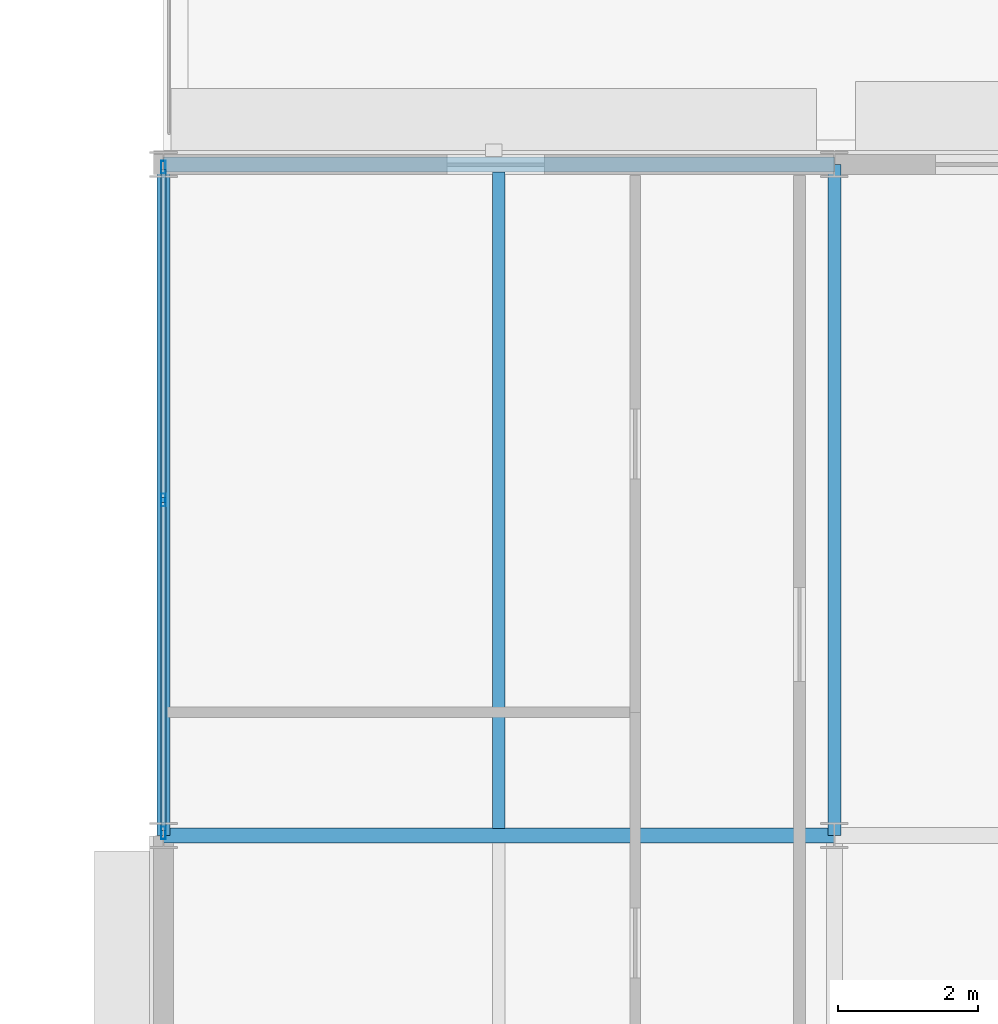
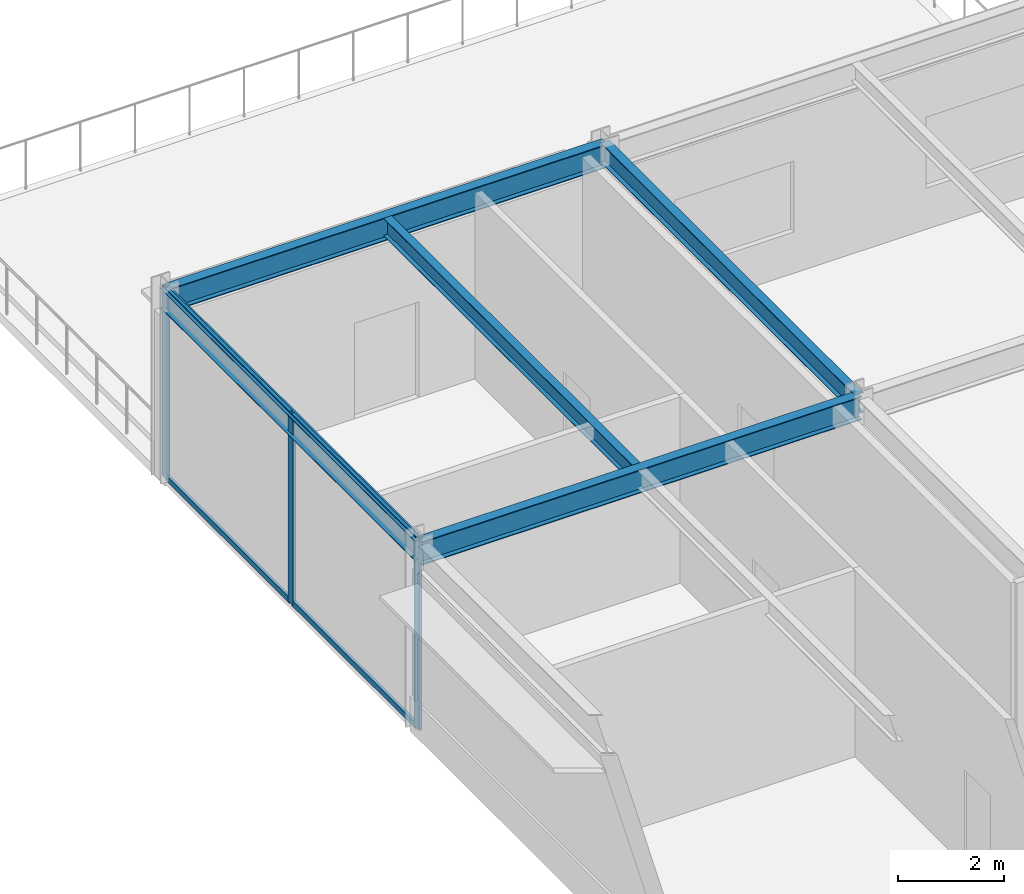
# One storey, part 92 of 133: 7 members, 5 beams, 1 element without a shape of its own.
"""IFC4 building model written with IfcOpenShell, lengths in metres."""

from ifc_helpers import new_model, si_unit, direction, frame, origin, origin_2d, place, context, subcontext, project, spatial, hollow_rectangle, i_section, extrude, material, material_profile, profile_set, type_object, element, aggregate, save


model = new_model("IFC4")

# Units and contexts
model_context = context("Model", 3, precision=1e-05, world=origin(), true_north=direction((0.0, 1.0)))
body_context = subcontext(model_context, "Body", "Model", "MODEL_VIEW")
ifc_project = project(units=[si_unit("LENGTHUNIT", "METRE"), si_unit("AREAUNIT", "SQUARE_METRE"), si_unit("VOLUMEUNIT", "CUBIC_METRE"), si_unit("PLANEANGLEUNIT", "RADIAN"), si_unit("MASSUNIT", "GRAM", prefix="KILO")], contexts=[model_context])

# Site, building, storey
site_placement = place(None, origin())
site = spatial("IfcSite", under=ifc_project, at=site_placement, CompositionType="ELEMENT")
building_placement = place(site_placement, origin())
building = spatial("IfcBuilding", under=site, at=building_placement, Name="Almandine Court Research Institute", CompositionType="ELEMENT")
storey_placement = place(building_placement, frame((0.0, 0.0, 9.800048828125)))
storey = spatial("IfcBuildingStorey", under=building, at=storey_placement, Name="L02", CompositionType="ELEMENT", Elevation=9.800048828125)

# Beams
ifc_material_1 = material(Name="Steel ASTM A992 Grade 50", Category="steel")
ifc_material_profile_1 = material_profile(ifc_material_1, i_section(OverallWidth=0.18994140625, OverallDepth=0.45703125, WebThickness=0.009033203125, FlangeThickness=0.014892578125, at=origin_2d()), Name="W460x74")
ifc_profile_set_1 = profile_set([ifc_material_profile_1], Name="Steel ASTM A992 Grade 50")
beam_type_1 = type_object("IfcBeamType", Name="Beam-B-01", PredefinedType="BEAM", material=ifc_profile_set_1)
for number, where, z_axis, x_axis, name in (
    (1, (153.60009765625, 84.0, 4.140869140625), (0.0, 1.0, 0.0), (-1.0, 0.0, 0.0), "L02 V4 Primary Y Girder"),
    (2, (163.199951171875, 84.0, 4.140869140625), (0.0, 1.0, 0.0), (-1.0, 0.0, 0.0), "L02 V4 Primary Y Girder"),
):
    element("IfcBeam", number, at=place(storey_placement, frame(where, z_axis=z_axis, x_axis=x_axis)), inside=storey, type_object=beam_type_1, Name=name, PredefinedType="BEAM", context=body_context, shape_type="SweptSolid", body=[
        extrude(i_section(OverallWidth=0.18994140625, OverallDepth=0.45703125, WebThickness=0.009033203125, FlangeThickness=0.014892578125, at=origin_2d()), origin(), (0.0, 0.0, 1.0), 9.60009765625),
    ])
ifc_material_profile_2 = material_profile(ifc_material_1, i_section(OverallWidth=0.178955078125, OverallDepth=0.409912109375, WebThickness=0.009033203125, FlangeThickness=0.013916015625, at=origin_2d()), Name="W410x67")
ifc_profile_set_2 = profile_set([ifc_material_profile_2], Name="Steel ASTM A992 Grade 50")
beam_type_2 = type_object("IfcBeamType", Name="Beam-B-02", PredefinedType="JOIST", material=ifc_profile_set_2)
beam_placement = place(storey_placement, frame((158.39990234375, 84.10302734375, 4.1650390625), z_axis=(0.0, 1.0, 0.0), x_axis=(-1.0, 0.0, 0.0)))
element("IfcBeam", 3, at=beam_placement, inside=storey, type_object=beam_type_2, Name="L02 V4 Composite Secondary Beam", PredefinedType="JOIST", context=body_context, shape_type="SweptSolid", body=[
    extrude(i_section(OverallWidth=0.178955078125, OverallDepth=0.409912109375, WebThickness=0.009033203125, FlangeThickness=0.013916015625, at=origin_2d()), origin(), (0.0, 0.0, 1.0), 9.39306640625),
])
ifc_material_profile_3 = material_profile(ifc_material_1, i_section(OverallWidth=0.2109375, OverallDepth=0.5390625, WebThickness=0.011962890625, FlangeThickness=0.01904296875, at=origin_2d()), Name="W530x109")
ifc_profile_set_3 = profile_set([ifc_material_profile_3], Name="Steel ASTM A992 Grade 50")
beam_type_3 = type_object("IfcBeamType", Name="Beam-G-04", PredefinedType="BEAM", material=ifc_profile_set_3)
for number, where, z_axis, x_axis, name in (
    (4, (153.60009765625, 84.0, 4.099853515625), (1.0, 0.0, 0.0), (0.0, 1.0, 0.0), "L02 V4 Primary X Girder"),
    (5, (153.60009765625, 93.60009765625, 4.099853515625), (1.0, 0.0, 0.0), (0.0, 1.0, 0.0), "L02 V4 Primary X Girder"),
):
    element("IfcBeam", number, at=place(storey_placement, frame(where, z_axis=z_axis, x_axis=x_axis)), inside=storey, type_object=beam_type_3, Name=name, PredefinedType="BEAM", context=body_context, shape_type="SweptSolid", body=[
        extrude(i_section(OverallWidth=0.2109375, OverallDepth=0.5390625, WebThickness=0.011962890625, FlangeThickness=0.01904296875, at=origin_2d()), origin(), (0.0, 0.0, 1.0), 9.599853515625),
    ])

# Curtain wall, members
ifc_material_2 = material(Name="Unitised Curtain Wall Framing and Solar Glazing", Category="glass")
curtain_wall_type = type_object("IfcCurtainWallType", Name="CW-CWJ-02", PredefinedType="USERDEFINED", material=ifc_material_2)
curtain_wall_placement = place(storey_placement, origin())
curtain_wall = element("IfcCurtainWall", 6, at=curtain_wall_placement, inside=storey, type_object=curtain_wall_type, Name="L02 Wet Lab West Courtyard Jali Curtain Wall 8", ObjectType="SOLAR JALI SCREEN", PredefinedType="USERDEFINED")
ifc_material_3 = material(Name="Anodised Aluminium AW-6063-T6", Category="aluminium")
ifc_material_profile_4 = material_profile(ifc_material_3, hollow_rectangle(XDim=0.06494140625, YDim=0.179931640625, WallThickness=0.00390625, at=origin_2d()), Name="ALU RHS 65x180x4")
ifc_profile_set_4 = profile_set([ifc_material_profile_4], Name="Anodised Aluminium AW-6063-T6")
member_type_1 = type_object("IfcMemberType", Name="CWMul-65x180", PredefinedType="MULLION", material=ifc_profile_set_4)
member_1_placement = place(storey_placement, frame((153.60009765625, 84.03662109375, 0.0), z_axis=(0.0, 0.0, 1.0), x_axis=(-1.0, 0.0, 0.0)))
member_1 = element("IfcMember", 7, at=member_1_placement, type_object=member_type_1, Name="CWJ-02 mullion 1", PredefinedType="MULLION", context=body_context, shape_type="SweptSolid", body=[
    extrude(hollow_rectangle(XDim=0.06494140625, YDim=0.179931640625, WallThickness=0.00390625, at=origin_2d()), origin(), (0.0, 0.0, 1.0), 4.369873046875),
])
member_2_placement = place(storey_placement, frame((153.60009765625, 88.800048828125, 0.0), z_axis=(0.0, 0.0, 1.0), x_axis=(-1.0, 0.0, 0.0)))
member_2 = element("IfcMember", 8, at=member_2_placement, type_object=member_type_1, Name="CWJ-02 mullion 2", PredefinedType="MULLION", context=body_context, shape_type="SweptSolid", body=[
    extrude(hollow_rectangle(XDim=0.06494140625, YDim=0.179931640625, WallThickness=0.00390625, at=origin_2d()), origin(), (0.0, 0.0, 1.0), 4.369873046875),
])
member_3_placement = place(storey_placement, frame((153.60009765625, 93.5634765625, 0.0), z_axis=(0.0, 0.0, 1.0), x_axis=(-1.0, 0.0, 0.0)))
member_3 = element("IfcMember", 9, at=member_3_placement, type_object=member_type_1, Name="CWJ-02 mullion 3", PredefinedType="MULLION", context=body_context, shape_type="SweptSolid", body=[
    extrude(hollow_rectangle(XDim=0.06494140625, YDim=0.179931640625, WallThickness=0.00390625, at=origin_2d()), origin(), (0.0, 0.0, 1.0), 4.369873046875),
])
ifc_material_profile_5 = material_profile(ifc_material_3, hollow_rectangle(XDim=0.06494140625, YDim=0.1298828125, WallThickness=0.00390625, at=origin_2d()), Name="ALU RHS 65x130x4")
ifc_profile_set_5 = profile_set([ifc_material_profile_5], Name="Anodised Aluminium AW-6063-T6")
member_type_2 = type_object("IfcMemberType", Name="CWTrn-65x130", PredefinedType="NOTDEFINED", material=ifc_profile_set_5)
member_4_placement = place(storey_placement, frame((153.60009765625, 84.069091796875, 0.032470703125), z_axis=(0.0, 1.0, 0.0), x_axis=(-1.0, 0.0, 0.0)))
member_4 = element("IfcMember", 10, at=member_4_placement, type_object=member_type_2, Name="CWJ-02 transom 1.1", ObjectType="TRANSOM", PredefinedType="USERDEFINED", context=body_context, shape_type="SweptSolid", body=[
    extrude(hollow_rectangle(XDim=0.06494140625, YDim=0.1298828125, WallThickness=0.00390625, at=origin_2d()), origin(), (0.0, 0.0, 1.0), 4.698486328125),
])
member_5_placement = place(storey_placement, frame((153.60009765625, 84.069091796875, 4.33740234375), z_axis=(0.0, 1.0, 0.0), x_axis=(-1.0, 0.0, 0.0)))
member_5 = element("IfcMember", 11, at=member_5_placement, type_object=member_type_2, Name="CWJ-02 transom 1.2", ObjectType="TRANSOM", PredefinedType="USERDEFINED", context=body_context, shape_type="SweptSolid", body=[
    extrude(hollow_rectangle(XDim=0.06494140625, YDim=0.1298828125, WallThickness=0.00390625, at=origin_2d()), origin(), (0.0, 0.0, 1.0), 4.698486328125),
])
member_6_placement = place(storey_placement, frame((153.60009765625, 88.83251953125, 0.032470703125), z_axis=(0.0, 1.0, 0.0), x_axis=(-1.0, 0.0, 0.0)))
member_6 = element("IfcMember", 12, at=member_6_placement, type_object=member_type_2, Name="CWJ-02 transom 2.1", ObjectType="TRANSOM", PredefinedType="USERDEFINED", context=body_context, shape_type="SweptSolid", body=[
    extrude(hollow_rectangle(XDim=0.06494140625, YDim=0.1298828125, WallThickness=0.00390625, at=origin_2d()), origin(), (0.0, 0.0, 1.0), 4.698486328125),
])
member_7_placement = place(storey_placement, frame((153.60009765625, 88.83251953125, 4.33740234375), z_axis=(0.0, 1.0, 0.0), x_axis=(-1.0, 0.0, 0.0)))
member_7 = element("IfcMember", 13, at=member_7_placement, type_object=member_type_2, Name="CWJ-02 transom 2.2", ObjectType="TRANSOM", PredefinedType="USERDEFINED", context=body_context, shape_type="SweptSolid", body=[
    extrude(hollow_rectangle(XDim=0.06494140625, YDim=0.1298828125, WallThickness=0.00390625, at=origin_2d()), origin(), (0.0, 0.0, 1.0), 4.698486328125),
])
aggregate(curtain_wall, [member_1, member_2, member_3, member_4, member_5, member_6, member_7])

save(model, "model.ifc")
